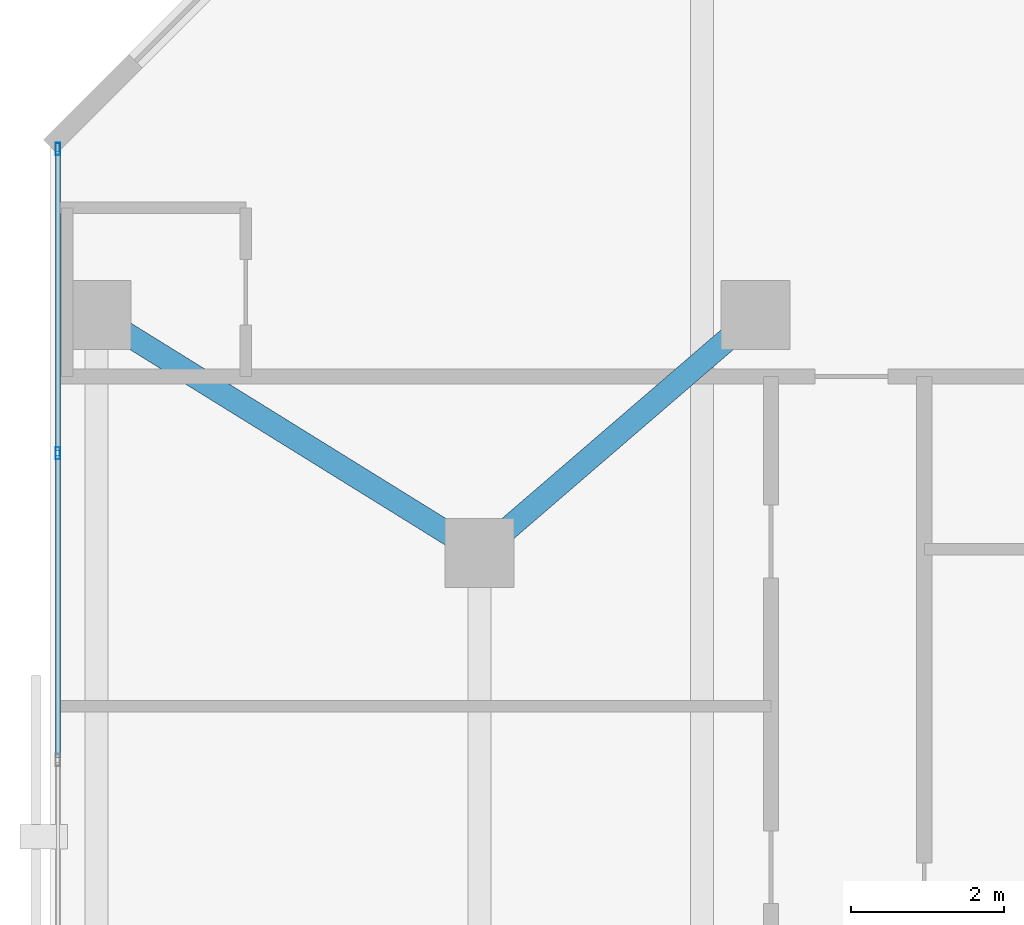
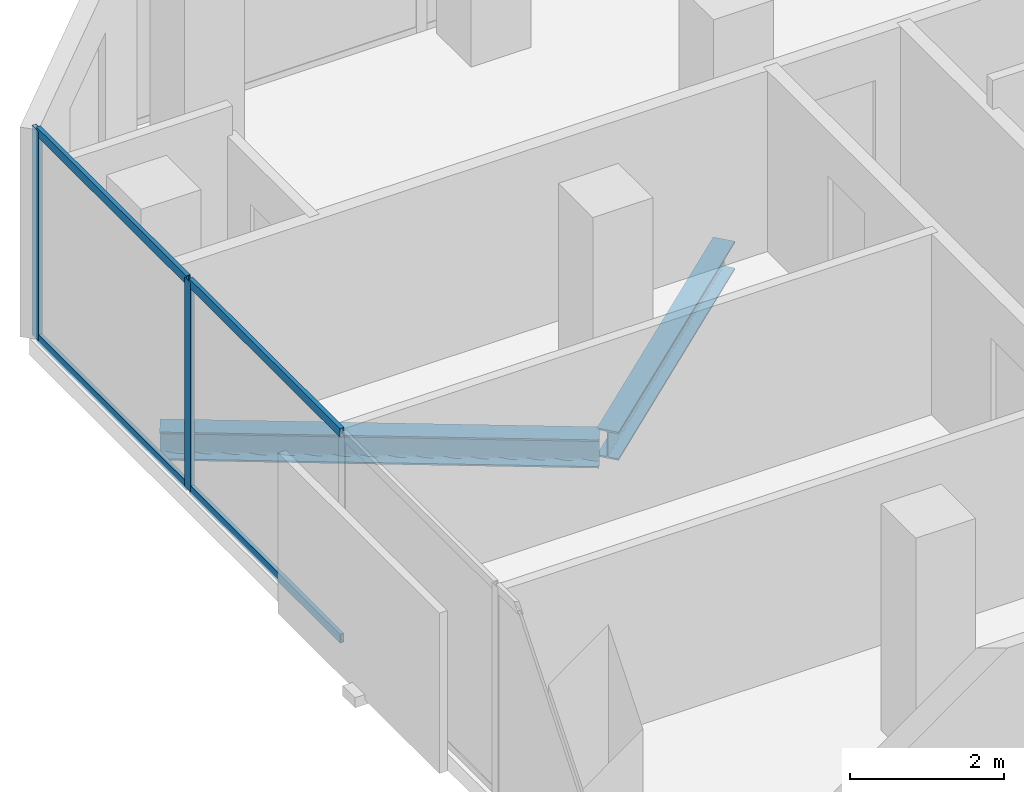
# One storey, part 17 of 34: 6 members, 2 beams, 1 element without a shape of its own.
"""IFC4 building model written with IfcOpenShell, lengths in metres."""

from ifc_helpers import new_model, si_unit, direction, frame, origin, origin_2d, place, context, subcontext, project, spatial, hollow_rectangle, i_section, extrude, material, layer, layer_set, material_profile, profile_set, type_object, element, aggregate, save


model = new_model("IFC4")

# Units and contexts
model_context = context("Model", 3, precision=1e-05, world=origin(), true_north=direction((0.0, 1.0)))
body_context = subcontext(model_context, "Body", "Model", "MODEL_VIEW")
ifc_project = project(units=[si_unit("LENGTHUNIT", "METRE"), si_unit("AREAUNIT", "SQUARE_METRE"), si_unit("VOLUMEUNIT", "CUBIC_METRE"), si_unit("PLANEANGLEUNIT", "RADIAN"), si_unit("MASSUNIT", "GRAM", prefix="KILO")], contexts=[model_context])

# Site, building, storey
site_placement = place(None, origin())
site = spatial("IfcSite", under=ifc_project, at=site_placement, CompositionType="ELEMENT")
building_placement = place(site_placement, origin())
building = spatial("IfcBuilding", under=site, at=building_placement, Name="Catumbela Crestline Tower", CompositionType="ELEMENT")
storey_placement = place(building_placement, frame((0.0, 0.0, 111.6)))
storey = spatial("IfcBuildingStorey", under=building, at=storey_placement, Name="L28", CompositionType="ELEMENT", Elevation=111.6)

# Beams
ifc_material_1 = material(Name="Structural steel S355J2", Category="steel")
ifc_material_profile_1 = material_profile(ifc_material_1, i_section(OverallWidth=0.3, OverallDepth=0.45, WebThickness=0.014, FlangeThickness=0.026, FilletRadius=0.027, at=origin_2d()), Name="HEB 450")
ifc_profile_set_1 = profile_set([ifc_material_profile_1], Name="Structural steel S355J2")
beam_type = type_object("IfcBeamType", Name="BG-HEB450", PredefinedType="BEAM", material=ifc_profile_set_1)
beam_1_placement = place(storey_placement, frame((0.668, 42.2578, -0.485), z_axis=(0.849908952007, -0.526929571479, 0.0), x_axis=(0.526929571479, 0.849908952007, 0.0)))
element("IfcBeam", 1, at=beam_1_placement, inside=storey, type_object=beam_type, Name="L28 Beam BM-L28-N12", PredefinedType="BEAM", context=body_context, shape_type="SweptSolid", body=[
    extrude(i_section(OverallWidth=0.3, OverallDepth=0.45, WebThickness=0.014, FlangeThickness=0.026, FilletRadius=0.027, at=origin_2d()), origin(), (0.0, 0.0, 1.0), 5.723),
])
beam_2_placement = place(storey_placement, frame((5.6606, 39.2522, -0.485), z_axis=(0.757772392559, 0.652518966066, 0.0), x_axis=(-0.652518966066, 0.757772392559, 0.0)))
element("IfcBeam", 2, at=beam_2_placement, inside=storey, type_object=beam_type, Name="L28 Beam BM-L28-N13", PredefinedType="BEAM", context=body_context, shape_type="SweptSolid", body=[
    extrude(i_section(OverallWidth=0.3, OverallDepth=0.45, WebThickness=0.014, FlangeThickness=0.026, FilletRadius=0.027, at=origin_2d()), origin(), (0.0, 0.0, 1.0), 4.5908),
])

# Curtain wall, members
ifc_material_2 = material(Name="Aluminium alloy AW-6060-T66", Category="aluminium")
ifc_layer = layer(ifc_material_2, 0.18, Name="Aluminium alloy AW-6060-T66")
ifc_layer_set = layer_set([ifc_layer], Name="Aluminium alloy AW-6060-T66")
curtain_wall_type = type_object("IfcCurtainWallType", Name="CWU-Z2", PredefinedType="USERDEFINED", material=ifc_layer_set)
curtain_wall_placement = place(storey_placement, origin())
curtain_wall = element("IfcCurtainWall", 3, at=curtain_wall_placement, inside=storey, type_object=curtain_wall_type, Name="L28 Unitised Curtain Wall CW-L28-E9S1", ObjectType="UNITISED", PredefinedType="USERDEFINED")
ifc_material_profile_2 = material_profile(ifc_material_2, hollow_rectangle(XDim=0.06, YDim=0.16, WallThickness=0.004, at=origin_2d()), Name="ALU 160x60x4")
ifc_profile_set_2 = profile_set([ifc_material_profile_2], Name="Aluminium alloy AW-6060-T66")
member_type_1 = type_object("IfcMemberType", Name="MUL-160X60", PredefinedType="MULLION", material=ifc_profile_set_2)
member_1_placement = place(storey_placement, frame((0.1, 44.4675, 0.0), z_axis=(0.0, 0.0, 1.0), x_axis=(1.0, 0.0, 0.0)))
member_1 = element("IfcMember", 4, at=member_1_placement, type_object=member_type_1, Name="CWU-Z2 mullion 1", PredefinedType="MULLION", context=body_context, shape_type="SweptSolid", body=[
    extrude(hollow_rectangle(XDim=0.06, YDim=0.16, WallThickness=0.004, at=origin_2d()), origin(), (0.0, 0.0, 1.0), 3.33),
])
member_2_placement = place(storey_placement, frame((0.1, 40.5, 0.0), z_axis=(0.0, 0.0, 1.0), x_axis=(1.0, 0.0, 0.0)))
member_2 = element("IfcMember", 5, at=member_2_placement, type_object=member_type_1, Name="CWU-Z2 mullion 2", PredefinedType="MULLION", context=body_context, shape_type="SweptSolid", body=[
    extrude(hollow_rectangle(XDim=0.06, YDim=0.16, WallThickness=0.004, at=origin_2d()), origin(), (0.0, 0.0, 1.0), 3.33),
])
ifc_material_profile_3 = material_profile(ifc_material_2, hollow_rectangle(XDim=0.06, YDim=0.14, WallThickness=0.004, at=origin_2d()), Name="ALU 140x60x4")
ifc_profile_set_3 = profile_set([ifc_material_profile_3], Name="Aluminium alloy AW-6060-T66")
member_type_2 = type_object("IfcMemberType", Name="TRN-140X60", PredefinedType="USERDEFINED", material=ifc_profile_set_3)
member_3_placement = place(storey_placement, frame((0.1, 44.435, 0.03), z_axis=(0.0, -1.0, 0.0), x_axis=(1.0, 0.0, 0.0)))
member_3 = element("IfcMember", 6, at=member_3_placement, type_object=member_type_2, Name="CWU-Z2 transom 1.1", ObjectType="TRANSOM", PredefinedType="USERDEFINED", context=body_context, shape_type="SweptSolid", body=[
    extrude(hollow_rectangle(XDim=0.06, YDim=0.14, WallThickness=0.004, at=origin_2d()), origin(), (0.0, 0.0, 1.0), 3.9025),
])
member_4_placement = place(storey_placement, frame((0.1, 44.435, 3.3), z_axis=(0.0, -1.0, 0.0), x_axis=(1.0, 0.0, 0.0)))
member_4 = element("IfcMember", 7, at=member_4_placement, type_object=member_type_2, Name="CWU-Z2 transom 1.2", ObjectType="TRANSOM", PredefinedType="USERDEFINED", context=body_context, shape_type="SweptSolid", body=[
    extrude(hollow_rectangle(XDim=0.06, YDim=0.14, WallThickness=0.004, at=origin_2d()), origin(), (0.0, 0.0, 1.0), 3.9025),
])
member_5_placement = place(storey_placement, frame((0.1, 40.4675, 0.03), z_axis=(0.0, -1.0, 0.0), x_axis=(1.0, 0.0, 0.0)))
member_5 = element("IfcMember", 8, at=member_5_placement, type_object=member_type_2, Name="CWU-Z2 transom 2.1", ObjectType="TRANSOM", PredefinedType="USERDEFINED", context=body_context, shape_type="SweptSolid", body=[
    extrude(hollow_rectangle(XDim=0.06, YDim=0.14, WallThickness=0.004, at=origin_2d()), origin(), (0.0, 0.0, 1.0), 3.935),
])
member_6_placement = place(storey_placement, frame((0.1, 40.4675, 3.3), z_axis=(0.0, -1.0, 0.0), x_axis=(1.0, 0.0, 0.0)))
member_6 = element("IfcMember", 9, at=member_6_placement, type_object=member_type_2, Name="CWU-Z2 transom 2.2", ObjectType="TRANSOM", PredefinedType="USERDEFINED", context=body_context, shape_type="SweptSolid", body=[
    extrude(hollow_rectangle(XDim=0.06, YDim=0.14, WallThickness=0.004, at=origin_2d()), origin(), (0.0, 0.0, 1.0), 3.935),
])
aggregate(curtain_wall, [member_1, member_2, member_3, member_4, member_5, member_6])

save(model, "model.ifc")
